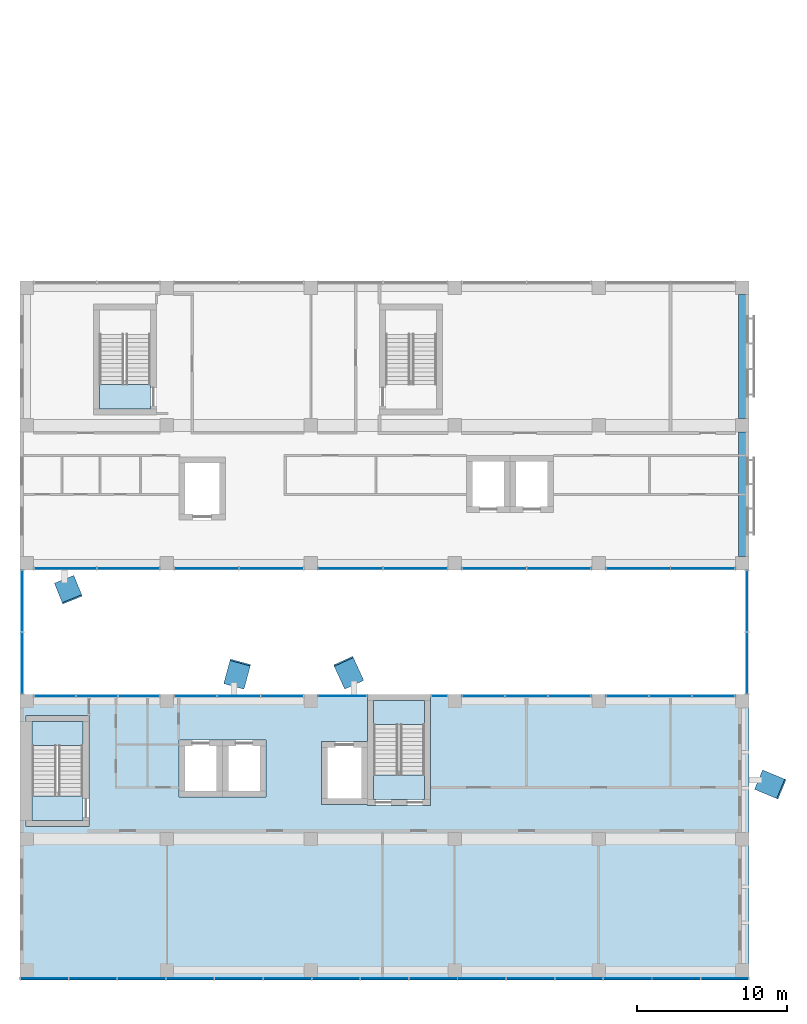
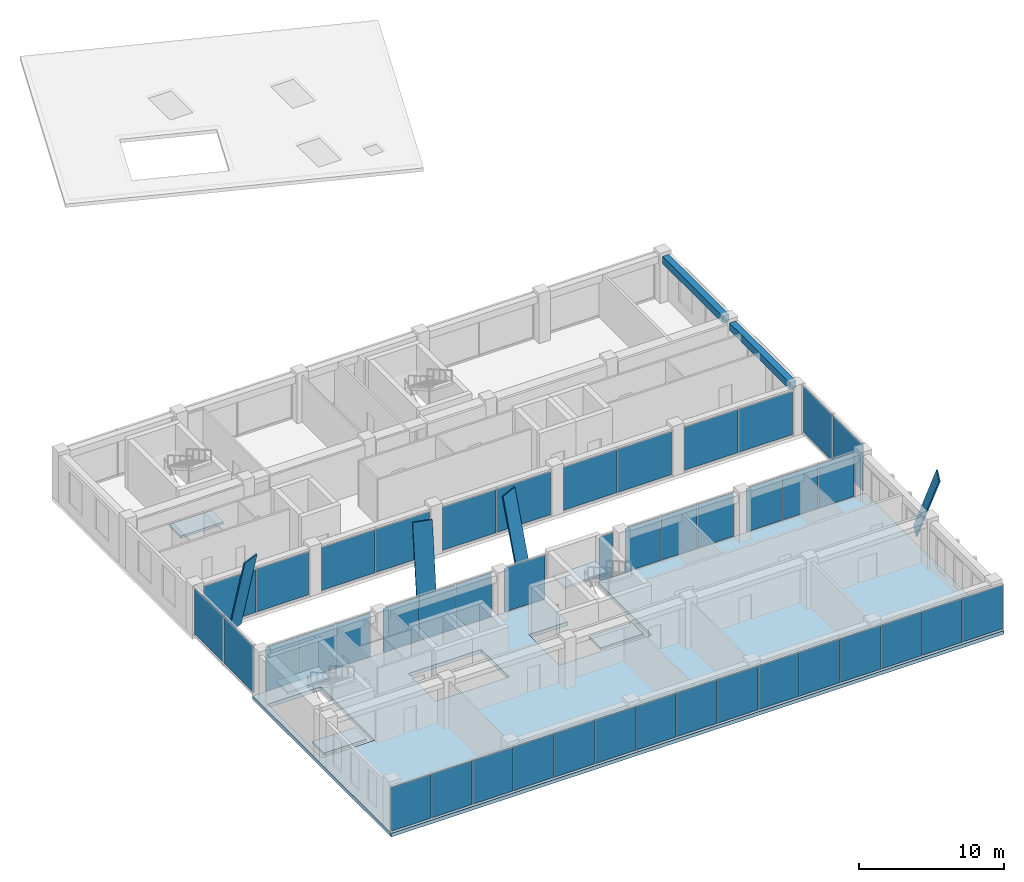
# One storey, part 25 of 36: 47 plates, 6 slabs, 2 beams, 17 elements without a shape of their own.
"""IFC4 building model written with IfcOpenShell, lengths in metres."""

from ifc_helpers import new_model, si_unit, direction, frame, origin, origin_2d, place, context, subcontext, project, spatial, polyline, rectangle, outline, extrude, material, layer, layer_set, material_profile, profile_set, type_object, element, aggregate, save


model = new_model("IFC4")

# Units and contexts
model_context = context("Model", 3, precision=1e-05, world=origin(), true_north=direction((0.0, 1.0)))
body_context = subcontext(model_context, "Body", "Model", "MODEL_VIEW")
ifc_project = project(units=[si_unit("LENGTHUNIT", "METRE"), si_unit("AREAUNIT", "SQUARE_METRE"), si_unit("VOLUMEUNIT", "CUBIC_METRE"), si_unit("PLANEANGLEUNIT", "RADIAN"), si_unit("MASSUNIT", "GRAM", prefix="KILO")], contexts=[model_context])

# Site, building, storey
site_placement = place(None, origin())
site = spatial("IfcSite", under=ifc_project, at=site_placement, CompositionType="ELEMENT")
building_placement = place(site_placement, origin())
building = spatial("IfcBuilding", under=site, at=building_placement, Name="Nzadi Deep Aquarium and Research Tower", CompositionType="ELEMENT")
storey_placement = place(building_placement, frame((0.0, 0.0, 44.5)))
storey = spatial("IfcBuildingStorey", under=building, at=storey_placement, Name="L08", CompositionType="ELEMENT", Elevation=44.5)

# Beams
ifc_material_1 = material(Name="Concrete C35/45", Category="concrete")
ifc_material_profile_1 = material_profile(ifc_material_1, rectangle(XDim=0.5, YDim=0.60009765625, at=origin_2d()))
ifc_profile_set_1 = profile_set([ifc_material_profile_1], Name="Concrete C35/45")
beam_type = type_object("IfcBeamType", Name="RC 500x600", PredefinedType="BEAM", material=ifc_profile_set_1)
for number, where, z_axis, x_axis, name in (
    (1, (48.0, 28.050048828125, 3.60009765625), (0.0, 1.0, 0.0), (-1.0, 0.0, 0.0), "B-Z1-L08-CF-1-4"),
    (2, (48.0, 37.25, 3.60009765625), (0.0, 1.0, 0.0), (-1.0, 0.0, 0.0), "B-Z1-L08-CF-2-4"),
):
    element("IfcBeam", number, at=place(storey_placement, frame(where, z_axis=z_axis, x_axis=x_axis)), inside=storey, type_object=beam_type, Name=name, PredefinedType="BEAM", context=body_context, shape_type="SweptSolid", body=[
        extrude(rectangle(XDim=0.5, YDim=0.60009765625, at=origin_2d()), origin(), (0.0, 0.0, 1.0), 8.300048828125),
    ])

# Plates
ifc_material_2 = material(Name="Anodised aluminium, bright", Category="aluminium")
ifc_material_profile_2 = material_profile(ifc_material_2, rectangle(XDim=1.39990234375, YDim=0.10009765625, at=origin_2d()))
ifc_profile_set_2 = profile_set([ifc_material_profile_2], Name="Anodised aluminium, bright")
plate_type_1 = type_object("IfcPlateType", Name="Fold blade anodised aluminium 1400x100, 4.8 m", PredefinedType="SHEET", material=ifc_profile_set_2)
plate_1_placement = place(storey_placement, frame((49.1201171875, 13.14990234375, 0.0166015625), z_axis=(0.307958826699, -0.128778158415, 0.942643913137), x_axis=(0.385794340584, 0.922584807361, 0.0)))
element("IfcPlate", 3, at=plate_1_placement, inside=storey, type_object=plate_type_1, Name="FD006 fold blade EA L08", PredefinedType="SHEET", context=body_context, shape_type="SweptSolid", body=[
    extrude(rectangle(XDim=1.39990234375, YDim=0.10009765625, at=origin_2d()), origin(), (0.0, 0.0, 1.0), 4.80029296875),
])
ifc_material_3 = material(Name="Anodised aluminium, bright", Category="aluminium")
ifc_material_profile_3 = material_profile(ifc_material_3, rectangle(XDim=1.39990234375, YDim=0.10009765625, at=origin_2d()))
ifc_profile_set_3 = profile_set([ifc_material_profile_3], Name="Anodised aluminium, bright")
plate_type_2 = type_object("IfcPlateType", Name="Fold blade anodised aluminium 1400x100, 6.6 m", PredefinedType="SHEET", material=ifc_profile_set_3)
plate_2_placement = place(storey_placement, frame((2.760009765625, 26.485595703125, 0.010498046875), z_axis=(0.079863315943, -0.195681769958, 0.977410095954), x_axis=(0.925858890592, 0.377869441359, 0.0)))
element("IfcPlate", 4, at=plate_2_placement, inside=storey, type_object=plate_type_2, Name="FD038 fold blade SB L08", PredefinedType="SHEET", context=body_context, shape_type="SweptSolid", body=[
    extrude(rectangle(XDim=1.39990234375, YDim=0.10009765625, at=origin_2d()), origin(), (0.0, 0.0, 1.0), 6.60009765625),
])
ifc_material_4 = material(Name="Anodised aluminium, bright", Category="aluminium")
ifc_material_profile_4 = material_profile(ifc_material_4, rectangle(XDim=1.39990234375, YDim=0.10009765625, at=origin_2d()))
ifc_profile_set_4 = profile_set([ifc_material_profile_4], Name="Anodised aluminium, bright")
plate_type_3 = type_object("IfcPlateType", Name="Fold blade anodised aluminium 1400x100, 8.4 m", PredefinedType="SHEET", material=ifc_profile_set_4)
for number, where, z_axis, x_axis, name in (
    (5, (14.080078125, 19.43359375, 0.009521484375), (0.050020254314, 0.184124527064, 0.981629325505), (-0.965023485981, 0.262163444258, 0.0), "FD036 fold blade SA L08"),
    (6, (22.080078125, 19.54150390625, 0.010009765625), (-0.083009293152, 0.181277647546, 0.979922380472), (-0.909209708064, -0.416338452178, 0.0), "FD037 fold blade SA L08"),
):
    element("IfcPlate", number, at=place(storey_placement, frame(where, z_axis=z_axis, x_axis=x_axis)), inside=storey, type_object=plate_type_3, Name=name, PredefinedType="SHEET", context=body_context, shape_type="SweptSolid", body=[
        extrude(rectangle(XDim=1.39990234375, YDim=0.10009765625, at=origin_2d()), origin(), (0.0, 0.0, 1.0), 8.39990234375),
    ])

# Curtain wall, plates
ifc_material_5 = material(Name="Aluminium unitised frame", Category="aluminium")
ifc_layer_1 = layer(ifc_material_5, 0.199951171875)
ifc_layer_set_1 = layer_set([ifc_layer_1], Name="Aluminium unitised frame")
curtain_wall_type_1 = type_object("IfcCurtainWallType", Name="Curtain wall Unitised 200", PredefinedType="NOTDEFINED", material=ifc_layer_set_1)
curtain_wall_1_placement = place(storey_placement, origin())
curtain_wall_1 = element("IfcCurtainWall", 7, at=curtain_wall_1_placement, inside=storey, type_object=curtain_wall_type_1, Name="Unitised curtain wall blade A south L08", PredefinedType="NOTDEFINED")
ifc_material_6 = material(Name="Glass, sage tint", Category="glass")
ifc_layer_2 = layer(ifc_material_6, 0.035888671875)
ifc_layer_set_2 = layer_set([ifc_layer_2], Name="Glass, sage tint")
plate_type_4 = type_object("IfcPlateType", Name="Glazing panel 36 Unitised", PredefinedType="CURTAIN_PANEL", material=ifc_layer_set_2)
plate_3_placement = place(storey_placement, frame((1.436767578125, -0.10009765625, 0.1201171875), z_axis=(0.0, 0.0, 1.0), x_axis=(1.0, 0.0, 0.0)))
plate_3 = element("IfcPlate", 8, at=plate_3_placement, type_object=plate_type_4, Name="CW022 panel 1.1", PredefinedType="CURTAIN_PANEL", context=body_context, shape_type="SweptSolid", body=[
    extrude(rectangle(XDim=3.1533203125, YDim=0.035888671875, at=origin_2d()), origin(), (0.0, 0.0, 1.0), 3.659912109375),
])
plate_4_placement = place(storey_placement, frame((4.6650390625, -0.10009765625, 0.1201171875), z_axis=(0.0, 0.0, 1.0), x_axis=(1.0, 0.0, 0.0)))
plate_4 = element("IfcPlate", 9, at=plate_4_placement, type_object=plate_type_4, Name="CW022 panel 2.1", PredefinedType="CURTAIN_PANEL", context=body_context, shape_type="SweptSolid", body=[
    extrude(rectangle(XDim=3.183349609375, YDim=0.035888671875, at=origin_2d()), origin(), (0.0, 0.0, 1.0), 3.659912109375),
])
plate_5_placement = place(storey_placement, frame((7.908447265625, -0.10009765625, 0.1201171875), z_axis=(0.0, 0.0, 1.0), x_axis=(1.0, 0.0, 0.0)))
plate_5 = element("IfcPlate", 10, at=plate_5_placement, type_object=plate_type_4, Name="CW022 panel 3.1", PredefinedType="CURTAIN_PANEL", context=body_context, shape_type="SweptSolid", body=[
    extrude(rectangle(XDim=3.183349609375, YDim=0.035888671875, at=origin_2d()), origin(), (0.0, 0.0, 1.0), 3.659912109375),
])
plate_6_placement = place(storey_placement, frame((11.151611328125, -0.10009765625, 0.1201171875), z_axis=(0.0, 0.0, 1.0), x_axis=(1.0, 0.0, 0.0)))
plate_6 = element("IfcPlate", 11, at=plate_6_placement, type_object=plate_type_4, Name="CW022 panel 4.1", PredefinedType="CURTAIN_PANEL", context=body_context, shape_type="SweptSolid", body=[
    extrude(rectangle(XDim=3.183349609375, YDim=0.035888671875, at=origin_2d()), origin(), (0.0, 0.0, 1.0), 3.659912109375),
])
plate_7_placement = place(storey_placement, frame((14.39501953125, -0.10009765625, 0.1201171875), z_axis=(0.0, 0.0, 1.0), x_axis=(1.0, 0.0, 0.0)))
plate_7 = element("IfcPlate", 12, at=plate_7_placement, type_object=plate_type_4, Name="CW022 panel 5.1", PredefinedType="CURTAIN_PANEL", context=body_context, shape_type="SweptSolid", body=[
    extrude(rectangle(XDim=3.183349609375, YDim=0.035888671875, at=origin_2d()), origin(), (0.0, 0.0, 1.0), 3.659912109375),
])
plate_8_placement = place(storey_placement, frame((17.638427734375, -0.10009765625, 0.1201171875), z_axis=(0.0, 0.0, 1.0), x_axis=(1.0, 0.0, 0.0)))
plate_8 = element("IfcPlate", 13, at=plate_8_placement, type_object=plate_type_4, Name="CW022 panel 6.1", PredefinedType="CURTAIN_PANEL", context=body_context, shape_type="SweptSolid", body=[
    extrude(rectangle(XDim=3.183349609375, YDim=0.035888671875, at=origin_2d()), origin(), (0.0, 0.0, 1.0), 3.659912109375),
])
plate_9_placement = place(storey_placement, frame((20.881591796875, -0.10009765625, 0.1201171875), z_axis=(0.0, 0.0, 1.0), x_axis=(1.0, 0.0, 0.0)))
plate_9 = element("IfcPlate", 14, at=plate_9_placement, type_object=plate_type_4, Name="CW022 panel 7.1", PredefinedType="CURTAIN_PANEL", context=body_context, shape_type="SweptSolid", body=[
    extrude(rectangle(XDim=3.183349609375, YDim=0.035888671875, at=origin_2d()), origin(), (0.0, 0.0, 1.0), 3.659912109375),
])
plate_10_placement = place(storey_placement, frame((24.125, -0.10009765625, 0.1201171875), z_axis=(0.0, 0.0, 1.0), x_axis=(1.0, 0.0, 0.0)))
plate_10 = element("IfcPlate", 15, at=plate_10_placement, type_object=plate_type_4, Name="CW022 panel 8.1", PredefinedType="CURTAIN_PANEL", context=body_context, shape_type="SweptSolid", body=[
    extrude(rectangle(XDim=3.183349609375, YDim=0.035888671875, at=origin_2d()), origin(), (0.0, 0.0, 1.0), 3.659912109375),
])
plate_11_placement = place(storey_placement, frame((27.368408203125, -0.10009765625, 0.1201171875), z_axis=(0.0, 0.0, 1.0), x_axis=(1.0, 0.0, 0.0)))
plate_11 = element("IfcPlate", 16, at=plate_11_placement, type_object=plate_type_4, Name="CW022 panel 9.1", PredefinedType="CURTAIN_PANEL", context=body_context, shape_type="SweptSolid", body=[
    extrude(rectangle(XDim=3.183349609375, YDim=0.035888671875, at=origin_2d()), origin(), (0.0, 0.0, 1.0), 3.659912109375),
])
plate_12_placement = place(storey_placement, frame((30.611572265625, -0.10009765625, 0.1201171875), z_axis=(0.0, 0.0, 1.0), x_axis=(1.0, 0.0, 0.0)))
plate_12 = element("IfcPlate", 17, at=plate_12_placement, type_object=plate_type_4, Name="CW022 panel 10.1", PredefinedType="CURTAIN_PANEL", context=body_context, shape_type="SweptSolid", body=[
    extrude(rectangle(XDim=3.183349609375, YDim=0.035888671875, at=origin_2d()), origin(), (0.0, 0.0, 1.0), 3.659912109375),
])
plate_13_placement = place(storey_placement, frame((33.85498046875, -0.10009765625, 0.1201171875), z_axis=(0.0, 0.0, 1.0), x_axis=(1.0, 0.0, 0.0)))
plate_13 = element("IfcPlate", 18, at=plate_13_placement, type_object=plate_type_4, Name="CW022 panel 11.1", PredefinedType="CURTAIN_PANEL", context=body_context, shape_type="SweptSolid", body=[
    extrude(rectangle(XDim=3.183349609375, YDim=0.035888671875, at=origin_2d()), origin(), (0.0, 0.0, 1.0), 3.659912109375),
])
plate_14_placement = place(storey_placement, frame((37.098388671875, -0.10009765625, 0.1201171875), z_axis=(0.0, 0.0, 1.0), x_axis=(1.0, 0.0, 0.0)))
plate_14 = element("IfcPlate", 19, at=plate_14_placement, type_object=plate_type_4, Name="CW022 panel 12.1", PredefinedType="CURTAIN_PANEL", context=body_context, shape_type="SweptSolid", body=[
    extrude(rectangle(XDim=3.183349609375, YDim=0.035888671875, at=origin_2d()), origin(), (0.0, 0.0, 1.0), 3.659912109375),
])
plate_15_placement = place(storey_placement, frame((40.341552734375, -0.10009765625, 0.1201171875), z_axis=(0.0, 0.0, 1.0), x_axis=(1.0, 0.0, 0.0)))
plate_15 = element("IfcPlate", 20, at=plate_15_placement, type_object=plate_type_4, Name="CW022 panel 13.1", PredefinedType="CURTAIN_PANEL", context=body_context, shape_type="SweptSolid", body=[
    extrude(rectangle(XDim=3.183349609375, YDim=0.035888671875, at=origin_2d()), origin(), (0.0, 0.0, 1.0), 3.659912109375),
])
plate_16_placement = place(storey_placement, frame((43.5849609375, -0.10009765625, 0.1201171875), z_axis=(0.0, 0.0, 1.0), x_axis=(1.0, 0.0, 0.0)))
plate_16 = element("IfcPlate", 21, at=plate_16_placement, type_object=plate_type_4, Name="CW022 panel 14.1", PredefinedType="CURTAIN_PANEL", context=body_context, shape_type="SweptSolid", body=[
    extrude(rectangle(XDim=3.183349609375, YDim=0.035888671875, at=origin_2d()), origin(), (0.0, 0.0, 1.0), 3.659912109375),
])
plate_17_placement = place(storey_placement, frame((46.813232421875, -0.10009765625, 0.1201171875), z_axis=(0.0, 0.0, 1.0), x_axis=(1.0, 0.0, 0.0)))
plate_17 = element("IfcPlate", 22, at=plate_17_placement, type_object=plate_type_4, Name="CW022 panel 15.1", PredefinedType="CURTAIN_PANEL", context=body_context, shape_type="SweptSolid", body=[
    extrude(rectangle(XDim=3.1533203125, YDim=0.035888671875, at=origin_2d()), origin(), (0.0, 0.0, 1.0), 3.659912109375),
])
aggregate(curtain_wall_1, [plate_3, plate_4, plate_5, plate_6, plate_7, plate_8, plate_9, plate_10, plate_11, plate_12, plate_13, plate_14, plate_15, plate_16, plate_17])

curtain_wall_2_placement = place(storey_placement, origin())
curtain_wall_2 = element("IfcCurtainWall", 23, at=curtain_wall_2_placement, inside=storey, type_object=curtain_wall_type_1, Name="Unitised curtain wall blade A north L08", PredefinedType="NOTDEFINED")
plate_18_placement = place(storey_placement, frame((2.123291015625, 18.75, 0.1201171875), z_axis=(0.0, 0.0, 1.0), x_axis=(1.0, 0.0, 0.0)))
plate_18 = element("IfcPlate", 24, at=plate_18_placement, type_object=plate_type_4, Name="CW023 panel 1.1", PredefinedType="CURTAIN_PANEL", context=body_context, shape_type="SweptSolid", body=[
    extrude(rectangle(XDim=2.7265625, YDim=0.035888671875, at=origin_2d()), origin(), (0.0, 0.0, 1.0), 3.659912109375),
])
plate_19_placement = place(storey_placement, frame((4.925048828125, 18.75, 0.1201171875), z_axis=(0.0, 0.0, 1.0), x_axis=(1.0, 0.0, 0.0)))
plate_19 = element("IfcPlate", 25, at=plate_19_placement, type_object=plate_type_4, Name="CW023 panel 2.1", PredefinedType="CURTAIN_PANEL", context=body_context, shape_type="SweptSolid", body=[
    extrude(rectangle(XDim=2.756591796875, YDim=0.035888671875, at=origin_2d()), origin(), (0.0, 0.0, 1.0), 3.659912109375),
])
plate_20_placement = place(storey_placement, frame((7.7265625, 18.75, 0.1201171875), z_axis=(0.0, 0.0, 1.0), x_axis=(1.0, 0.0, 0.0)))
plate_20 = element("IfcPlate", 26, at=plate_20_placement, type_object=plate_type_4, Name="CW023 panel 3.1", PredefinedType="CURTAIN_PANEL", context=body_context, shape_type="SweptSolid", body=[
    extrude(rectangle(XDim=2.7265625, YDim=0.035888671875, at=origin_2d()), origin(), (0.0, 0.0, 1.0), 3.659912109375),
])
aggregate(curtain_wall_2, [plate_18, plate_19, plate_20])

curtain_wall_3_placement = place(storey_placement, origin())
curtain_wall_3 = element("IfcCurtainWall", 27, at=curtain_wall_3_placement, inside=storey, type_object=curtain_wall_type_1, Name="Unitised curtain wall blade A north L08", PredefinedType="NOTDEFINED")
plate_21_placement = place(storey_placement, frame((11.514892578125, 18.75, 0.1201171875), z_axis=(0.0, 0.0, 1.0), x_axis=(1.0, 0.0, 0.0)))
plate_21 = element("IfcPlate", 28, at=plate_21_placement, type_object=plate_type_4, Name="CW024 panel 1.1", PredefinedType="CURTAIN_PANEL", context=body_context, shape_type="SweptSolid", body=[
    extrude(rectangle(XDim=2.81005859375, YDim=0.035888671875, at=origin_2d()), origin(), (0.0, 0.0, 1.0), 3.659912109375),
])
plate_22_placement = place(storey_placement, frame((14.39990234375, 18.75, 0.1201171875), z_axis=(0.0, 0.0, 1.0), x_axis=(1.0, 0.0, 0.0)))
plate_22 = element("IfcPlate", 29, at=plate_22_placement, type_object=plate_type_4, Name="CW024 panel 2.1", PredefinedType="CURTAIN_PANEL", context=body_context, shape_type="SweptSolid", body=[
    extrude(rectangle(XDim=2.840087890625, YDim=0.035888671875, at=origin_2d()), origin(), (0.0, 0.0, 1.0), 3.659912109375),
])
plate_23_placement = place(storey_placement, frame((17.284912109375, 18.75, 0.1201171875), z_axis=(0.0, 0.0, 1.0), x_axis=(1.0, 0.0, 0.0)))
plate_23 = element("IfcPlate", 30, at=plate_23_placement, type_object=plate_type_4, Name="CW024 panel 3.1", PredefinedType="CURTAIN_PANEL", context=body_context, shape_type="SweptSolid", body=[
    extrude(rectangle(XDim=2.81005859375, YDim=0.035888671875, at=origin_2d()), origin(), (0.0, 0.0, 1.0), 3.659912109375),
])
aggregate(curtain_wall_3, [plate_21, plate_22, plate_23])

# Curtain wall, plate
curtain_wall_4_placement = place(storey_placement, origin())
curtain_wall_4 = element("IfcCurtainWall", 31, at=curtain_wall_4_placement, inside=storey, type_object=curtain_wall_type_1, Name="Unitised curtain wall blade A north L08", PredefinedType="NOTDEFINED")
plate_24_placement = place(storey_placement, frame((21.324951171875, 18.75, 0.1201171875), z_axis=(0.0, 0.0, 1.0), x_axis=(1.0, 0.0, 0.0)))
plate_24 = element("IfcPlate", 32, at=plate_24_placement, type_object=plate_type_4, Name="CW025 panel 1.1", PredefinedType="CURTAIN_PANEL", context=body_context, shape_type="SweptSolid", body=[
    extrude(rectangle(XDim=3.22998046875, YDim=0.035888671875, at=origin_2d()), origin(), (0.0, 0.0, 1.0), 3.659912109375),
])
aggregate(curtain_wall_4, [plate_24])

curtain_wall_5_placement = place(storey_placement, origin())
curtain_wall_5 = element("IfcCurtainWall", 33, at=curtain_wall_5_placement, inside=storey, type_object=curtain_wall_type_1, Name="Unitised curtain wall blade A north L08", PredefinedType="NOTDEFINED")
plate_25_placement = place(storey_placement, frame((27.77490234375, 18.75, 0.1201171875), z_axis=(0.0, 0.0, 1.0), x_axis=(1.0, 0.0, 0.0)))
plate_25 = element("IfcPlate", 34, at=plate_25_placement, type_object=plate_type_4, Name="CW026 panel 1.1", PredefinedType="CURTAIN_PANEL", context=body_context, shape_type="SweptSolid", body=[
    extrude(rectangle(XDim=1.030029296875, YDim=0.035888671875, at=origin_2d()), origin(), (0.0, 0.0, 1.0), 3.659912109375),
])
aggregate(curtain_wall_5, [plate_25])

# Curtain wall, plates
curtain_wall_6_placement = place(storey_placement, origin())
curtain_wall_6 = element("IfcCurtainWall", 35, at=curtain_wall_6_placement, inside=storey, type_object=curtain_wall_type_1, Name="Unitised curtain wall blade A north L08", PredefinedType="NOTDEFINED")
plate_26_placement = place(storey_placement, frame((30.715087890625, 18.75, 0.1201171875), z_axis=(0.0, 0.0, 1.0), x_axis=(1.0, 0.0, 0.0)))
plate_26 = element("IfcPlate", 36, at=plate_26_placement, type_object=plate_type_4, Name="CW027 panel 1.1", PredefinedType="CURTAIN_PANEL", context=body_context, shape_type="SweptSolid", body=[
    extrude(rectangle(XDim=2.81005859375, YDim=0.035888671875, at=origin_2d()), origin(), (0.0, 0.0, 1.0), 3.659912109375),
])
plate_27_placement = place(storey_placement, frame((33.60009765625, 18.75, 0.1201171875), z_axis=(0.0, 0.0, 1.0), x_axis=(1.0, 0.0, 0.0)))
plate_27 = element("IfcPlate", 37, at=plate_27_placement, type_object=plate_type_4, Name="CW027 panel 2.1", PredefinedType="CURTAIN_PANEL", context=body_context, shape_type="SweptSolid", body=[
    extrude(rectangle(XDim=2.840087890625, YDim=0.035888671875, at=origin_2d()), origin(), (0.0, 0.0, 1.0), 3.659912109375),
])
plate_28_placement = place(storey_placement, frame((36.485107421875, 18.75, 0.1201171875), z_axis=(0.0, 0.0, 1.0), x_axis=(1.0, 0.0, 0.0)))
plate_28 = element("IfcPlate", 38, at=plate_28_placement, type_object=plate_type_4, Name="CW027 panel 3.1", PredefinedType="CURTAIN_PANEL", context=body_context, shape_type="SweptSolid", body=[
    extrude(rectangle(XDim=2.81005859375, YDim=0.035888671875, at=origin_2d()), origin(), (0.0, 0.0, 1.0), 3.659912109375),
])
aggregate(curtain_wall_6, [plate_26, plate_27, plate_28])

curtain_wall_7_placement = place(storey_placement, origin())
curtain_wall_7 = element("IfcCurtainWall", 39, at=curtain_wall_7_placement, inside=storey, type_object=curtain_wall_type_1, Name="Unitised curtain wall blade A north L08", PredefinedType="NOTDEFINED")
plate_29_placement = place(storey_placement, frame((40.31494140625, 18.75, 0.1201171875), z_axis=(0.0, 0.0, 1.0), x_axis=(1.0, 0.0, 0.0)))
plate_29 = element("IfcPlate", 40, at=plate_29_placement, type_object=plate_type_4, Name="CW028 panel 1.1", PredefinedType="CURTAIN_PANEL", context=body_context, shape_type="SweptSolid", body=[
    extrude(rectangle(XDim=2.81005859375, YDim=0.035888671875, at=origin_2d()), origin(), (0.0, 0.0, 1.0), 3.659912109375),
])
plate_30_placement = place(storey_placement, frame((43.199951171875, 18.75, 0.1201171875), z_axis=(0.0, 0.0, 1.0), x_axis=(1.0, 0.0, 0.0)))
plate_30 = element("IfcPlate", 41, at=plate_30_placement, type_object=plate_type_4, Name="CW028 panel 2.1", PredefinedType="CURTAIN_PANEL", context=body_context, shape_type="SweptSolid", body=[
    extrude(rectangle(XDim=2.840087890625, YDim=0.035888671875, at=origin_2d()), origin(), (0.0, 0.0, 1.0), 3.659912109375),
])
plate_31_placement = place(storey_placement, frame((46.0849609375, 18.75, 0.1201171875), z_axis=(0.0, 0.0, 1.0), x_axis=(1.0, 0.0, 0.0)))
plate_31 = element("IfcPlate", 42, at=plate_31_placement, type_object=plate_type_4, Name="CW028 panel 3.1", PredefinedType="CURTAIN_PANEL", context=body_context, shape_type="SweptSolid", body=[
    extrude(rectangle(XDim=2.81005859375, YDim=0.035888671875, at=origin_2d()), origin(), (0.0, 0.0, 1.0), 3.659912109375),
])
aggregate(curtain_wall_7, [plate_29, plate_30, plate_31])

ifc_material_7 = material(Name="Aluminium unitised frame deep", Category="aluminium")
ifc_layer_3 = layer(ifc_material_7, 0.22509765625)
ifc_layer_set_3 = layer_set([ifc_layer_3], Name="Aluminium unitised frame deep")
curtain_wall_type_2 = type_object("IfcCurtainWallType", Name="Curtain wall Unitised Deep 225", PredefinedType="NOTDEFINED", material=ifc_layer_set_3)
curtain_wall_8_placement = place(storey_placement, origin())
curtain_wall_8 = element("IfcCurtainWall", 43, at=curtain_wall_8_placement, inside=storey, type_object=curtain_wall_type_2, Name="Unitised curtain wall blade B south L08", PredefinedType="NOTDEFINED")
ifc_material_8 = material(Name="Glass, sage tint", Category="glass")
ifc_layer_4 = layer(ifc_material_8, 0.0400390625)
ifc_layer_set_4 = layer_set([ifc_layer_4], Name="Glass, sage tint")
plate_type_5 = type_object("IfcPlateType", Name="Glazing panel 40 Unitised Deep", PredefinedType="CURTAIN_PANEL", material=ifc_layer_set_4)
plate_32_placement = place(storey_placement, frame((2.827392578125, 27.262451171875, 0.139892578125), z_axis=(0.0, 0.0, 1.0), x_axis=(1.0, 0.0, 0.0)))
plate_32 = element("IfcPlate", 44, at=plate_32_placement, type_object=plate_type_5, Name="CW108 panel 1.1", PredefinedType="CURTAIN_PANEL", context=body_context, shape_type="SweptSolid", body=[
    extrude(rectangle(XDim=4.135009765625, YDim=0.0400390625, at=origin_2d()), origin(), (0.0, 0.0, 1.0), 3.6201171875),
])
plate_33_placement = place(storey_placement, frame((7.0224609375, 27.262451171875, 0.139892578125), z_axis=(0.0, 0.0, 1.0), x_axis=(1.0, 0.0, 0.0)))
plate_33 = element("IfcPlate", 45, at=plate_33_placement, type_object=plate_type_5, Name="CW108 panel 2.1", PredefinedType="CURTAIN_PANEL", context=body_context, shape_type="SweptSolid", body=[
    extrude(rectangle(XDim=4.135009765625, YDim=0.0400390625, at=origin_2d()), origin(), (0.0, 0.0, 1.0), 3.6201171875),
])
aggregate(curtain_wall_8, [plate_32, plate_33])

curtain_wall_9_placement = place(storey_placement, origin())
curtain_wall_9 = element("IfcCurtainWall", 46, at=curtain_wall_9_placement, inside=storey, type_object=curtain_wall_type_2, Name="Unitised curtain wall blade B south L08", PredefinedType="NOTDEFINED")
plate_34_placement = place(storey_placement, frame((12.239990234375, 27.262451171875, 0.139892578125), z_axis=(0.0, 0.0, 1.0), x_axis=(1.0, 0.0, 0.0)))
plate_34 = element("IfcPlate", 47, at=plate_34_placement, type_object=plate_type_5, Name="CW109 panel 1.1", PredefinedType="CURTAIN_PANEL", context=body_context, shape_type="SweptSolid", body=[
    extrude(rectangle(XDim=4.260009765625, YDim=0.0400390625, at=origin_2d()), origin(), (0.0, 0.0, 1.0), 3.6201171875),
])
plate_35_placement = place(storey_placement, frame((16.56005859375, 27.262451171875, 0.139892578125), z_axis=(0.0, 0.0, 1.0), x_axis=(1.0, 0.0, 0.0)))
plate_35 = element("IfcPlate", 48, at=plate_35_placement, type_object=plate_type_5, Name="CW109 panel 2.1", PredefinedType="CURTAIN_PANEL", context=body_context, shape_type="SweptSolid", body=[
    extrude(rectangle(XDim=4.260009765625, YDim=0.0400390625, at=origin_2d()), origin(), (0.0, 0.0, 1.0), 3.6201171875),
])
aggregate(curtain_wall_9, [plate_34, plate_35])

curtain_wall_10_placement = place(storey_placement, origin())
curtain_wall_10 = element("IfcCurtainWall", 49, at=curtain_wall_10_placement, inside=storey, type_object=curtain_wall_type_2, Name="Unitised curtain wall blade B south L08", PredefinedType="NOTDEFINED")
plate_36_placement = place(storey_placement, frame((21.840087890625, 27.262451171875, 0.139892578125), z_axis=(0.0, 0.0, 1.0), x_axis=(1.0, 0.0, 0.0)))
plate_36 = element("IfcPlate", 50, at=plate_36_placement, type_object=plate_type_5, Name="CW110 panel 1.1", PredefinedType="CURTAIN_PANEL", context=body_context, shape_type="SweptSolid", body=[
    extrude(rectangle(XDim=4.260009765625, YDim=0.0400390625, at=origin_2d()), origin(), (0.0, 0.0, 1.0), 3.6201171875),
])
plate_37_placement = place(storey_placement, frame((26.159912109375, 27.262451171875, 0.139892578125), z_axis=(0.0, 0.0, 1.0), x_axis=(1.0, 0.0, 0.0)))
plate_37 = element("IfcPlate", 51, at=plate_37_placement, type_object=plate_type_5, Name="CW110 panel 2.1", PredefinedType="CURTAIN_PANEL", context=body_context, shape_type="SweptSolid", body=[
    extrude(rectangle(XDim=4.260009765625, YDim=0.0400390625, at=origin_2d()), origin(), (0.0, 0.0, 1.0), 3.6201171875),
])
aggregate(curtain_wall_10, [plate_36, plate_37])

curtain_wall_11_placement = place(storey_placement, origin())
curtain_wall_11 = element("IfcCurtainWall", 52, at=curtain_wall_11_placement, inside=storey, type_object=curtain_wall_type_2, Name="Unitised curtain wall blade B south L08", PredefinedType="NOTDEFINED")
plate_38_placement = place(storey_placement, frame((31.43994140625, 27.262451171875, 0.139892578125), z_axis=(0.0, 0.0, 1.0), x_axis=(1.0, 0.0, 0.0)))
plate_38 = element("IfcPlate", 53, at=plate_38_placement, type_object=plate_type_5, Name="CW111 panel 1.1", PredefinedType="CURTAIN_PANEL", context=body_context, shape_type="SweptSolid", body=[
    extrude(rectangle(XDim=4.260009765625, YDim=0.0400390625, at=origin_2d()), origin(), (0.0, 0.0, 1.0), 3.6201171875),
])
plate_39_placement = place(storey_placement, frame((35.760009765625, 27.262451171875, 0.139892578125), z_axis=(0.0, 0.0, 1.0), x_axis=(1.0, 0.0, 0.0)))
plate_39 = element("IfcPlate", 54, at=plate_39_placement, type_object=plate_type_5, Name="CW111 panel 2.1", PredefinedType="CURTAIN_PANEL", context=body_context, shape_type="SweptSolid", body=[
    extrude(rectangle(XDim=4.260009765625, YDim=0.0400390625, at=origin_2d()), origin(), (0.0, 0.0, 1.0), 3.6201171875),
])
aggregate(curtain_wall_11, [plate_38, plate_39])

curtain_wall_12_placement = place(storey_placement, origin())
curtain_wall_12 = element("IfcCurtainWall", 55, at=curtain_wall_12_placement, inside=storey, type_object=curtain_wall_type_2, Name="Unitised curtain wall blade B south L08", PredefinedType="NOTDEFINED")
plate_40_placement = place(storey_placement, frame((41.0400390625, 27.262451171875, 0.139892578125), z_axis=(0.0, 0.0, 1.0), x_axis=(1.0, 0.0, 0.0)))
plate_40 = element("IfcPlate", 56, at=plate_40_placement, type_object=plate_type_5, Name="CW112 panel 1.1", PredefinedType="CURTAIN_PANEL", context=body_context, shape_type="SweptSolid", body=[
    extrude(rectangle(XDim=4.260009765625, YDim=0.0400390625, at=origin_2d()), origin(), (0.0, 0.0, 1.0), 3.6201171875),
])
plate_41_placement = place(storey_placement, frame((45.360107421875, 27.262451171875, 0.139892578125), z_axis=(0.0, 0.0, 1.0), x_axis=(1.0, 0.0, 0.0)))
plate_41 = element("IfcPlate", 57, at=plate_41_placement, type_object=plate_type_5, Name="CW112 panel 2.1", PredefinedType="CURTAIN_PANEL", context=body_context, shape_type="SweptSolid", body=[
    extrude(rectangle(XDim=4.260009765625, YDim=0.0400390625, at=origin_2d()), origin(), (0.0, 0.0, 1.0), 3.6201171875),
])
aggregate(curtain_wall_12, [plate_40, plate_41])

ifc_material_9 = material(Name="Aluminium unitised frame wind post", Category="aluminium")
ifc_layer_5 = layer(ifc_material_9, 0.300048828125)
ifc_layer_set_5 = layer_set([ifc_layer_5], Name="Aluminium unitised frame wind post")
curtain_wall_type_3 = type_object("IfcCurtainWallType", Name="Curtain wall Slot End 300", PredefinedType="NOTDEFINED", material=ifc_layer_set_5)
curtain_wall_13_placement = place(storey_placement, origin())
curtain_wall_13 = element("IfcCurtainWall", 58, at=curtain_wall_13_placement, inside=storey, type_object=curtain_wall_type_3, Name="Glazed slot end west L08", PredefinedType="NOTDEFINED")
ifc_material_10 = material(Name="Glass, sage tint", Category="glass")
ifc_layer_6 = layer(ifc_material_10, 0.0439453125)
ifc_layer_set_6 = layer_set([ifc_layer_6], Name="Glass, sage tint")
plate_type_6 = type_object("IfcPlateType", Name="Glazing panel 44 Slot End", PredefinedType="CURTAIN_PANEL", material=ifc_layer_set_6)
plate_42_placement = place(storey_placement, frame((-0.050048828125, 20.93994140625, 0.16015625), z_axis=(0.0, 0.0, 1.0), x_axis=(0.0, 1.0, 0.0)))
plate_42 = element("IfcPlate", 59, at=plate_42_placement, type_object=plate_type_6, Name="CW207 panel 1.1", PredefinedType="CURTAIN_PANEL", context=body_context, shape_type="SweptSolid", body=[
    extrude(rectangle(XDim=4.06005859375, YDim=0.0439453125, at=origin_2d()), origin(), (0.0, 0.0, 1.0), 3.8798828125),
])
plate_43_placement = place(storey_placement, frame((-0.050048828125, 25.06005859375, 0.16015625), z_axis=(0.0, 0.0, 1.0), x_axis=(0.0, 1.0, 0.0)))
plate_43 = element("IfcPlate", 60, at=plate_43_placement, type_object=plate_type_6, Name="CW207 panel 2.1", PredefinedType="CURTAIN_PANEL", context=body_context, shape_type="SweptSolid", body=[
    extrude(rectangle(XDim=4.06005859375, YDim=0.0439453125, at=origin_2d()), origin(), (0.0, 0.0, 1.0), 3.8798828125),
])
aggregate(curtain_wall_13, [plate_42, plate_43])

curtain_wall_14_placement = place(storey_placement, origin())
curtain_wall_14 = element("IfcCurtainWall", 61, at=curtain_wall_14_placement, inside=storey, type_object=curtain_wall_type_3, Name="Glazed slot end east L08", PredefinedType="NOTDEFINED")
plate_44_placement = place(storey_placement, frame((48.300048828125, 20.93994140625, 0.16015625), z_axis=(0.0, 0.0, 1.0), x_axis=(0.0, 1.0, 0.0)))
plate_44 = element("IfcPlate", 62, at=plate_44_placement, type_object=plate_type_6, Name="CW208 panel 1.1", PredefinedType="CURTAIN_PANEL", context=body_context, shape_type="SweptSolid", body=[
    extrude(rectangle(XDim=4.06005859375, YDim=0.0439453125, at=origin_2d()), origin(), (0.0, 0.0, 1.0), 3.8798828125),
])
plate_45_placement = place(storey_placement, frame((48.300048828125, 25.06005859375, 0.16015625), z_axis=(0.0, 0.0, 1.0), x_axis=(0.0, 1.0, 0.0)))
plate_45 = element("IfcPlate", 63, at=plate_45_placement, type_object=plate_type_6, Name="CW208 panel 2.1", PredefinedType="CURTAIN_PANEL", context=body_context, shape_type="SweptSolid", body=[
    extrude(rectangle(XDim=4.06005859375, YDim=0.0439453125, at=origin_2d()), origin(), (0.0, 0.0, 1.0), 3.8798828125),
])
aggregate(curtain_wall_14, [plate_44, plate_45])

# Stair, slabs
ifc_material_11 = material(Name="Concrete C35/45", Category="concrete")
stair_type = type_object("IfcStairType", Name="STAIR RETURN 3000", PredefinedType="NOTDEFINED", material=ifc_material_11)
stair_1_placement = place(storey_placement, origin())
stair_1 = element("IfcStair", 64, at=stair_1_placement, inside=storey, type_object=stair_type, Name="Stair ST-Z1-SW L08", PredefinedType="HALF_TURN_STAIR")
ifc_material_12 = material(Name="Concrete C35/45", Category="concrete")
ifc_layer_7 = layer(ifc_material_12, 0.199951171875)
ifc_layer_set_7 = layer_set([ifc_layer_7], Name="Concrete C35/45")
slab_type_1 = type_object("IfcSlabType", Name="LANDING 200", PredefinedType="LANDING", material=ifc_layer_set_7)
slab_1_placement = place(storey_placement, frame((0.0, 0.0, -0.199951171875)))
slab_1 = element("IfcSlab", 65, at=slab_1_placement, type_object=slab_type_1, Name="ST-Z1-SW landing 1", PredefinedType="LANDING", context=body_context, shape_type="SweptSolid", body=[
    extrude(outline(polyline([(0.60009765625, 10.449951171875), (4.0, 10.449951171875), (4.0, 12.070068359375), (0.60009765625, 12.070068359375), (0.60009765625, 10.449951171875)])), origin(), (0.0, 0.0, 1.0), 0.199951171875),
])
slab_2_placement = place(storey_placement, frame((0.0, 0.0, 1.89990234375)))
slab_2 = element("IfcSlab", 66, at=slab_2_placement, type_object=slab_type_1, Name="ST-Z1-SW landing 2", PredefinedType="LANDING", context=body_context, shape_type="SweptSolid", body=[
    extrude(outline(polyline([(0.60009765625, 15.429931640625), (4.0, 15.429931640625), (4.0, 17.050048828125), (0.60009765625, 17.050048828125), (0.60009765625, 15.429931640625)])), origin(), (0.0, 0.0, 1.0), 0.2001953125),
])
aggregate(stair_1, [slab_1, slab_2])

stair_2_placement = place(storey_placement, origin())
stair_2 = element("IfcStair", 67, at=stair_2_placement, inside=storey, type_object=stair_type, Name="Stair ST-Z1-SE L08", PredefinedType="HALF_TURN_STAIR")
slab_3_placement = place(storey_placement, frame((0.0, 0.0, -0.199951171875)))
slab_3 = element("IfcSlab", 68, at=slab_3_placement, type_object=slab_type_1, Name="ST-Z1-SE landing 1", PredefinedType="LANDING", context=body_context, shape_type="SweptSolid", body=[
    extrude(outline(polyline([(23.39990234375, 11.85009765625), (26.800048828125, 11.85009765625), (26.800048828125, 13.469970703125), (23.39990234375, 13.469970703125), (23.39990234375, 11.85009765625)])), origin(), (0.0, 0.0, 1.0), 0.199951171875),
])
slab_4_placement = place(storey_placement, frame((0.0, 0.0, 1.89990234375)))
slab_4 = element("IfcSlab", 69, at=slab_4_placement, type_object=slab_type_1, Name="ST-Z1-SE landing 2", PredefinedType="LANDING", context=body_context, shape_type="SweptSolid", body=[
    extrude(outline(polyline([(23.39990234375, 16.830078125), (26.800048828125, 16.830078125), (26.800048828125, 18.449951171875), (23.39990234375, 18.449951171875), (23.39990234375, 16.830078125)])), origin(), (0.0, 0.0, 1.0), 0.2001953125),
])
aggregate(stair_2, [slab_3, slab_4])

# Stair, slab
stair_3_placement = place(storey_placement, origin())
stair_3 = element("IfcStair", 70, at=stair_3_placement, inside=storey, type_object=stair_type, Name="Stair ST-Z1-NW L08", PredefinedType="HALF_TURN_STAIR")
slab_5_placement = place(storey_placement, frame((0.0, 0.0, -0.199951171875)))
slab_5 = element("IfcSlab", 71, at=slab_5_placement, type_object=slab_type_1, Name="ST-Z1-NW landing 1", PredefinedType="LANDING", context=body_context, shape_type="SweptSolid", body=[
    extrude(outline(polyline([(5.10009765625, 37.89990234375), (8.5, 37.89990234375), (8.5, 39.52001953125), (5.10009765625, 39.52001953125), (5.10009765625, 37.89990234375)])), origin(), (0.0, 0.0, 1.0), 0.199951171875),
])
aggregate(stair_3, [slab_5])

# Slab
ifc_material_13 = material(Name="Concrete C35/45", Category="concrete")
ifc_layer_8 = layer(ifc_material_13, 0.300048828125)
ifc_layer_set_8 = layer_set([ifc_layer_8], Name="Concrete C35/45")
slab_type_2 = type_object("IfcSlabType", Name="RC floor slab 300", PredefinedType="FLOOR", material=ifc_layer_set_8)
slab_6_placement = place(storey_placement, frame((0.0, 0.0, -0.300048828125)))
element("IfcSlab", 72, at=slab_6_placement, inside=storey, type_object=slab_type_2, Name="Tower floor A L08", PredefinedType="FLOOR", context=body_context, shape_type="SweptSolid", body=[
    extrude(outline(polyline([(27.199951171875, 11.449951171875), (23.0, 11.449951171875), (23.0, 11.5), (19.89990234375, 11.5), (19.89990234375, 15.699951171875), (23.0, 15.699951171875), (23.0, 18.85009765625), (-0.199462890625, 18.85009765625), (-0.199462890625, -0.199951171875), (48.449951171875, -0.199951171875), (48.449951171875, 18.85009765625), (27.199951171875, 18.85009765625), (27.199951171875, 11.449951171875)]), holes=[polyline([(4.39990234375, 17.449951171875), (4.39990234375, 10.050048828125), (0.199951171875, 10.050048828125), (0.199951171875, 17.449951171875), (4.39990234375, 17.449951171875)]), polyline([(10.39990234375, 12.0), (10.39990234375, 15.800048828125), (13.300048828125, 15.800048828125), (16.199951171875, 15.800048828125), (16.199951171875, 12.0), (13.300048828125, 12.0), (10.39990234375, 12.0)])]), origin(), (0.0, 0.0, 1.0), 0.300048828125),
])

save(model, "model.ifc")
